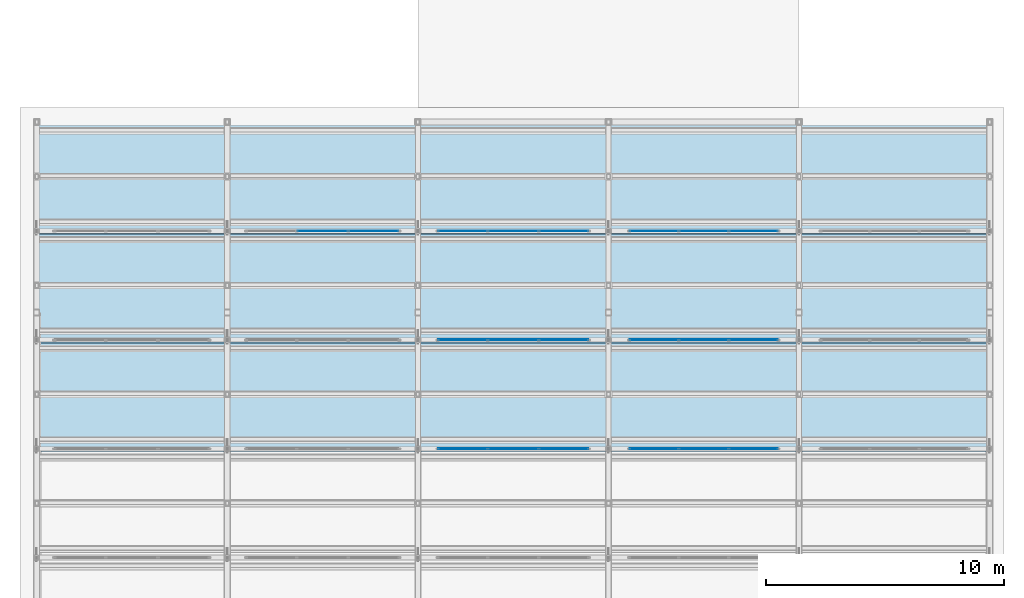
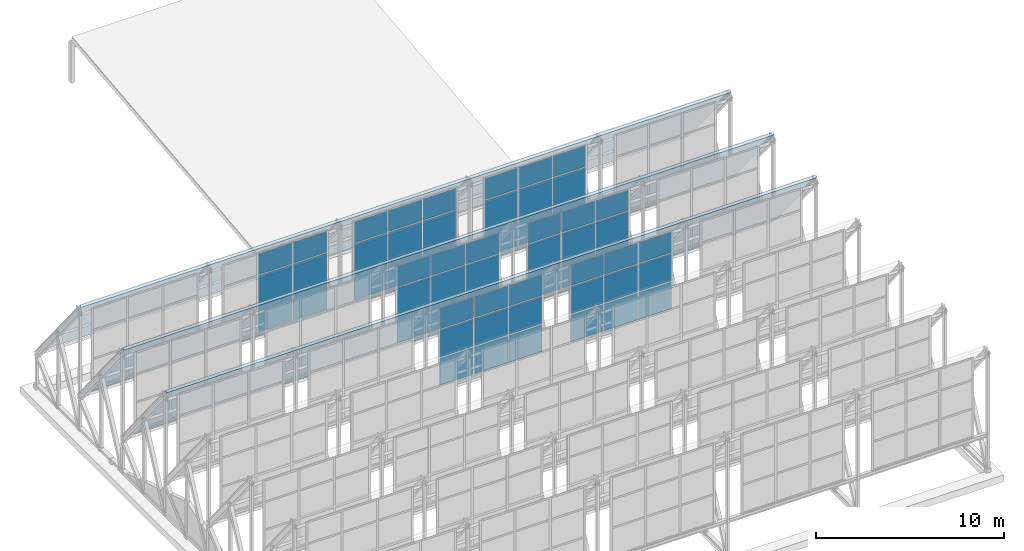
# One storey, part 29 of 34: 60 plates, 3 slabs, 10 elements without a shape of their own.
"""IFC4 building model written with IfcOpenShell, lengths in metres."""

from ifc_helpers import new_model, si_unit, direction, frame, origin, origin_2d, place, context, subcontext, project, spatial, polyline, rectangle, outline, extrude, material, layer, layer_set, type_object, element, aggregate, save


model = new_model("IFC4")

# Units and contexts
model_context = context("Model", 3, precision=1e-05, world=origin(), true_north=direction((0.0, 1.0)))
body_context = subcontext(model_context, "Body", "Model", "MODEL_VIEW")
ifc_project = project(units=[si_unit("LENGTHUNIT", "METRE"), si_unit("AREAUNIT", "SQUARE_METRE"), si_unit("VOLUMEUNIT", "CUBIC_METRE"), si_unit("PLANEANGLEUNIT", "RADIAN"), si_unit("MASSUNIT", "GRAM", prefix="KILO")], contexts=[model_context])

# Site, building, storey
site_placement = place(None, origin())
site = spatial("IfcSite", under=ifc_project, at=site_placement, CompositionType="ELEMENT")
building_placement = place(site_placement, origin())
building = spatial("IfcBuilding", under=site, at=building_placement, Name="Qorikala Patio Media Centre", CompositionType="ELEMENT")
storey_placement = place(building_placement, frame((0.0, 0.0, 32.699951171875)))
storey = spatial("IfcBuildingStorey", under=building, at=storey_placement, Name="RF", CompositionType="ELEMENT", Elevation=32.699951171875)

# Curtain wall, plates
ifc_material_1 = material(Name="Bronze Anodised Aluminium and Low-E Glass", Category="aluminium")
ifc_layer_1 = layer(ifc_material_1, 0.159912109375)
ifc_layer_set_1 = layer_set([ifc_layer_1], Name="Bronze Anodised Aluminium and Low-E Glass")
curtain_wall_type_1 = type_object("IfcCurtainWallType", Name="CW-SAW-640X514", PredefinedType="USERDEFINED", material=ifc_layer_set_1)
curtain_wall_1_placement = place(storey_placement, origin())
curtain_wall_1 = element("IfcCurtainWall", 1, at=curtain_wall_1_placement, inside=storey, type_object=curtain_wall_type_1, Name="RF Sawtooth Glazing 129", ObjectType="SAWTOOTH GLAZING", PredefinedType="USERDEFINED")
ifc_material_2 = material(Name="Acoustic Laminated Low-E Glass", Category="glass")
ifc_layer_2 = layer(ifc_material_2, 0.031982421875)
ifc_layer_set_2 = layer_set([ifc_layer_2], Name="Acoustic Laminated Low-E Glass")
plate_type = type_object("IfcPlateType", Name="CWP-32", PredefinedType="CURTAIN_PANEL", material=ifc_layer_set_2)
plate_1_placement = place(storey_placement, frame((20.881591796875, 21.28564453125, 2.81005859375), z_axis=(0.0, 0.0, 1.0), x_axis=(1.0, 0.0, 0.0)))
plate_1 = element("IfcPlate", 2, at=plate_1_placement, type_object=plate_type, Name="CWS640514 panel 1.1", PredefinedType="CURTAIN_PANEL", context=body_context, shape_type="SweptSolid", body=[
    extrude(rectangle(XDim=2.043212890625, YDim=0.031982421875, at=origin_2d()), origin(), (0.0, 0.0, 1.0), 1.760498046875),
])
plate_2_placement = place(storey_placement, frame((20.881591796875, 21.28564453125, 4.63037109375), z_axis=(0.0, 0.0, 1.0), x_axis=(1.0, 0.0, 0.0)))
plate_2 = element("IfcPlate", 3, at=plate_2_placement, type_object=plate_type, Name="CWS640514 panel 1.2", PredefinedType="CURTAIN_PANEL", context=body_context, shape_type="SweptSolid", body=[
    extrude(rectangle(XDim=2.043212890625, YDim=0.031982421875, at=origin_2d()), origin(), (0.0, 0.0, 1.0), 1.790283203125),
])
plate_3_placement = place(storey_placement, frame((20.881591796875, 21.28564453125, 6.48095703125), z_axis=(0.0, 0.0, 1.0), x_axis=(1.0, 0.0, 0.0)))
plate_3 = element("IfcPlate", 4, at=plate_3_placement, type_object=plate_type, Name="CWS640514 panel 1.3", PredefinedType="CURTAIN_PANEL", context=body_context, shape_type="SweptSolid", body=[
    extrude(rectangle(XDim=2.043212890625, YDim=0.031982421875, at=origin_2d()), origin(), (0.0, 0.0, 1.0), 1.34912109375),
])
plate_4_placement = place(storey_placement, frame((23.0, 21.28564453125, 2.81005859375), z_axis=(0.0, 0.0, 1.0), x_axis=(1.0, 0.0, 0.0)))
plate_4 = element("IfcPlate", 5, at=plate_4_placement, type_object=plate_type, Name="CWS640514 panel 2.1", PredefinedType="CURTAIN_PANEL", context=body_context, shape_type="SweptSolid", body=[
    extrude(rectangle(XDim=2.0732421875, YDim=0.031982421875, at=origin_2d()), origin(), (0.0, 0.0, 1.0), 1.760498046875),
])
plate_5_placement = place(storey_placement, frame((23.0, 21.28564453125, 4.63037109375), z_axis=(0.0, 0.0, 1.0), x_axis=(1.0, 0.0, 0.0)))
plate_5 = element("IfcPlate", 6, at=plate_5_placement, type_object=plate_type, Name="CWS640514 panel 2.2", PredefinedType="CURTAIN_PANEL", context=body_context, shape_type="SweptSolid", body=[
    extrude(rectangle(XDim=2.0732421875, YDim=0.031982421875, at=origin_2d()), origin(), (0.0, 0.0, 1.0), 1.790283203125),
])
plate_6_placement = place(storey_placement, frame((23.0, 21.28564453125, 6.48095703125), z_axis=(0.0, 0.0, 1.0), x_axis=(1.0, 0.0, 0.0)))
plate_6 = element("IfcPlate", 7, at=plate_6_placement, type_object=plate_type, Name="CWS640514 panel 2.3", PredefinedType="CURTAIN_PANEL", context=body_context, shape_type="SweptSolid", body=[
    extrude(rectangle(XDim=2.0732421875, YDim=0.031982421875, at=origin_2d()), origin(), (0.0, 0.0, 1.0), 1.34912109375),
])
plate_7_placement = place(storey_placement, frame((25.118408203125, 21.28564453125, 2.81005859375), z_axis=(0.0, 0.0, 1.0), x_axis=(1.0, 0.0, 0.0)))
plate_7 = element("IfcPlate", 8, at=plate_7_placement, type_object=plate_type, Name="CWS640514 panel 3.1", PredefinedType="CURTAIN_PANEL", context=body_context, shape_type="SweptSolid", body=[
    extrude(rectangle(XDim=2.043212890625, YDim=0.031982421875, at=origin_2d()), origin(), (0.0, 0.0, 1.0), 1.760498046875),
])
plate_8_placement = place(storey_placement, frame((25.118408203125, 21.28564453125, 4.63037109375), z_axis=(0.0, 0.0, 1.0), x_axis=(1.0, 0.0, 0.0)))
plate_8 = element("IfcPlate", 9, at=plate_8_placement, type_object=plate_type, Name="CWS640514 panel 3.2", PredefinedType="CURTAIN_PANEL", context=body_context, shape_type="SweptSolid", body=[
    extrude(rectangle(XDim=2.043212890625, YDim=0.031982421875, at=origin_2d()), origin(), (0.0, 0.0, 1.0), 1.790283203125),
])
plate_9_placement = place(storey_placement, frame((25.118408203125, 21.28564453125, 6.48095703125), z_axis=(0.0, 0.0, 1.0), x_axis=(1.0, 0.0, 0.0)))
plate_9 = element("IfcPlate", 10, at=plate_9_placement, type_object=plate_type, Name="CWS640514 panel 3.3", PredefinedType="CURTAIN_PANEL", context=body_context, shape_type="SweptSolid", body=[
    extrude(rectangle(XDim=2.043212890625, YDim=0.031982421875, at=origin_2d()), origin(), (0.0, 0.0, 1.0), 1.34912109375),
])
aggregate(curtain_wall_1, [plate_1, plate_2, plate_3, plate_4, plate_5, plate_6, plate_7, plate_8, plate_9])

ifc_layer_3 = layer(ifc_material_1, 0.159912109375)
ifc_layer_set_3 = layer_set([ifc_layer_3], Name="Bronze Anodised Aluminium and Low-E Glass")
curtain_wall_type_2 = type_object("IfcCurtainWallType", Name="CW-SAW-632X514", PredefinedType="USERDEFINED", material=ifc_layer_set_3)
curtain_wall_2_placement = place(storey_placement, origin())
curtain_wall_2 = element("IfcCurtainWall", 11, at=curtain_wall_2_placement, inside=storey, type_object=curtain_wall_type_2, Name="RF Sawtooth Glazing 130", ObjectType="SAWTOOTH GLAZING", PredefinedType="USERDEFINED")
plate_10_placement = place(storey_placement, frame((28.908447265625, 21.28564453125, 2.81005859375), z_axis=(0.0, 0.0, 1.0), x_axis=(1.0, 0.0, 0.0)))
plate_10 = element("IfcPlate", 12, at=plate_10_placement, type_object=plate_type, Name="CWS632514 panel 1.1", PredefinedType="CURTAIN_PANEL", context=body_context, shape_type="SweptSolid", body=[
    extrude(rectangle(XDim=2.0166015625, YDim=0.031982421875, at=origin_2d()), origin(), (0.0, 0.0, 1.0), 1.760498046875),
])
plate_11_placement = place(storey_placement, frame((28.908447265625, 21.28564453125, 4.63037109375), z_axis=(0.0, 0.0, 1.0), x_axis=(1.0, 0.0, 0.0)))
plate_11 = element("IfcPlate", 13, at=plate_11_placement, type_object=plate_type, Name="CWS632514 panel 1.2", PredefinedType="CURTAIN_PANEL", context=body_context, shape_type="SweptSolid", body=[
    extrude(rectangle(XDim=2.0166015625, YDim=0.031982421875, at=origin_2d()), origin(), (0.0, 0.0, 1.0), 1.790283203125),
])
plate_12_placement = place(storey_placement, frame((28.908447265625, 21.28564453125, 6.48095703125), z_axis=(0.0, 0.0, 1.0), x_axis=(1.0, 0.0, 0.0)))
plate_12 = element("IfcPlate", 14, at=plate_12_placement, type_object=plate_type, Name="CWS632514 panel 1.3", PredefinedType="CURTAIN_PANEL", context=body_context, shape_type="SweptSolid", body=[
    extrude(rectangle(XDim=2.0166015625, YDim=0.031982421875, at=origin_2d()), origin(), (0.0, 0.0, 1.0), 1.34912109375),
])
plate_13_placement = place(storey_placement, frame((31.0, 21.28564453125, 2.81005859375), z_axis=(0.0, 0.0, 1.0), x_axis=(1.0, 0.0, 0.0)))
plate_13 = element("IfcPlate", 15, at=plate_13_placement, type_object=plate_type, Name="CWS632514 panel 2.1", PredefinedType="CURTAIN_PANEL", context=body_context, shape_type="SweptSolid", body=[
    extrude(rectangle(XDim=2.046630859375, YDim=0.031982421875, at=origin_2d()), origin(), (0.0, 0.0, 1.0), 1.760498046875),
])
plate_14_placement = place(storey_placement, frame((31.0, 21.28564453125, 4.63037109375), z_axis=(0.0, 0.0, 1.0), x_axis=(1.0, 0.0, 0.0)))
plate_14 = element("IfcPlate", 16, at=plate_14_placement, type_object=plate_type, Name="CWS632514 panel 2.2", PredefinedType="CURTAIN_PANEL", context=body_context, shape_type="SweptSolid", body=[
    extrude(rectangle(XDim=2.046630859375, YDim=0.031982421875, at=origin_2d()), origin(), (0.0, 0.0, 1.0), 1.790283203125),
])
plate_15_placement = place(storey_placement, frame((31.0, 21.28564453125, 6.48095703125), z_axis=(0.0, 0.0, 1.0), x_axis=(1.0, 0.0, 0.0)))
plate_15 = element("IfcPlate", 17, at=plate_15_placement, type_object=plate_type, Name="CWS632514 panel 2.3", PredefinedType="CURTAIN_PANEL", context=body_context, shape_type="SweptSolid", body=[
    extrude(rectangle(XDim=2.046630859375, YDim=0.031982421875, at=origin_2d()), origin(), (0.0, 0.0, 1.0), 1.34912109375),
])
plate_16_placement = place(storey_placement, frame((33.091552734375, 21.28564453125, 2.81005859375), z_axis=(0.0, 0.0, 1.0), x_axis=(1.0, 0.0, 0.0)))
plate_16 = element("IfcPlate", 18, at=plate_16_placement, type_object=plate_type, Name="CWS632514 panel 3.1", PredefinedType="CURTAIN_PANEL", context=body_context, shape_type="SweptSolid", body=[
    extrude(rectangle(XDim=2.0166015625, YDim=0.031982421875, at=origin_2d()), origin(), (0.0, 0.0, 1.0), 1.760498046875),
])
plate_17_placement = place(storey_placement, frame((33.091552734375, 21.28564453125, 4.63037109375), z_axis=(0.0, 0.0, 1.0), x_axis=(1.0, 0.0, 0.0)))
plate_17 = element("IfcPlate", 19, at=plate_17_placement, type_object=plate_type, Name="CWS632514 panel 3.2", PredefinedType="CURTAIN_PANEL", context=body_context, shape_type="SweptSolid", body=[
    extrude(rectangle(XDim=2.0166015625, YDim=0.031982421875, at=origin_2d()), origin(), (0.0, 0.0, 1.0), 1.790283203125),
])
plate_18_placement = place(storey_placement, frame((33.091552734375, 21.28564453125, 6.48095703125), z_axis=(0.0, 0.0, 1.0), x_axis=(1.0, 0.0, 0.0)))
plate_18 = element("IfcPlate", 20, at=plate_18_placement, type_object=plate_type, Name="CWS632514 panel 3.3", PredefinedType="CURTAIN_PANEL", context=body_context, shape_type="SweptSolid", body=[
    extrude(rectangle(XDim=2.0166015625, YDim=0.031982421875, at=origin_2d()), origin(), (0.0, 0.0, 1.0), 1.34912109375),
])
aggregate(curtain_wall_2, [plate_10, plate_11, plate_12, plate_13, plate_14, plate_15, plate_16, plate_17, plate_18])

ifc_layer_4 = layer(ifc_material_1, 0.159912109375)
ifc_layer_set_4 = layer_set([ifc_layer_4], Name="Bronze Anodised Aluminium and Low-E Glass")
curtain_wall_type_3 = type_object("IfcCurtainWallType", Name="CW-SAW-640X508", PredefinedType="USERDEFINED", material=ifc_layer_set_4)
curtain_wall_3_placement = place(storey_placement, origin())
curtain_wall_3 = element("IfcCurtainWall", 21, at=curtain_wall_3_placement, inside=storey, type_object=curtain_wall_type_3, Name="RF Sawtooth Glazing 134", ObjectType="SAWTOOTH GLAZING", PredefinedType="USERDEFINED")
plate_19_placement = place(storey_placement, frame((20.881591796875, 25.857177734375, 2.81005859375), z_axis=(0.0, 0.0, 1.0), x_axis=(1.0, 0.0, 0.0)))
plate_19 = element("IfcPlate", 22, at=plate_19_placement, type_object=plate_type, Name="CWS640508 panel 1.1", PredefinedType="CURTAIN_PANEL", context=body_context, shape_type="SweptSolid", body=[
    extrude(rectangle(XDim=2.043212890625, YDim=0.031982421875, at=origin_2d()), origin(), (0.0, 0.0, 1.0), 1.73876953125),
])
plate_20_placement = place(storey_placement, frame((20.881591796875, 25.857177734375, 4.60888671875), z_axis=(0.0, 0.0, 1.0), x_axis=(1.0, 0.0, 0.0)))
plate_20 = element("IfcPlate", 23, at=plate_20_placement, type_object=plate_type, Name="CWS640508 panel 1.2", PredefinedType="CURTAIN_PANEL", context=body_context, shape_type="SweptSolid", body=[
    extrude(rectangle(XDim=2.043212890625, YDim=0.031982421875, at=origin_2d()), origin(), (0.0, 0.0, 1.0), 1.768798828125),
])
plate_21_placement = place(storey_placement, frame((20.881591796875, 25.857177734375, 6.4375), z_axis=(0.0, 0.0, 1.0), x_axis=(1.0, 0.0, 0.0)))
plate_21 = element("IfcPlate", 24, at=plate_21_placement, type_object=plate_type, Name="CWS640508 panel 1.3", PredefinedType="CURTAIN_PANEL", context=body_context, shape_type="SweptSolid", body=[
    extrude(rectangle(XDim=2.043212890625, YDim=0.031982421875, at=origin_2d()), origin(), (0.0, 0.0, 1.0), 1.33251953125),
])
plate_22_placement = place(storey_placement, frame((23.0, 25.857177734375, 2.81005859375), z_axis=(0.0, 0.0, 1.0), x_axis=(1.0, 0.0, 0.0)))
plate_22 = element("IfcPlate", 25, at=plate_22_placement, type_object=plate_type, Name="CWS640508 panel 2.1", PredefinedType="CURTAIN_PANEL", context=body_context, shape_type="SweptSolid", body=[
    extrude(rectangle(XDim=2.0732421875, YDim=0.031982421875, at=origin_2d()), origin(), (0.0, 0.0, 1.0), 1.73876953125),
])
plate_23_placement = place(storey_placement, frame((23.0, 25.857177734375, 4.60888671875), z_axis=(0.0, 0.0, 1.0), x_axis=(1.0, 0.0, 0.0)))
plate_23 = element("IfcPlate", 26, at=plate_23_placement, type_object=plate_type, Name="CWS640508 panel 2.2", PredefinedType="CURTAIN_PANEL", context=body_context, shape_type="SweptSolid", body=[
    extrude(rectangle(XDim=2.0732421875, YDim=0.031982421875, at=origin_2d()), origin(), (0.0, 0.0, 1.0), 1.768798828125),
])
plate_24_placement = place(storey_placement, frame((23.0, 25.857177734375, 6.4375), z_axis=(0.0, 0.0, 1.0), x_axis=(1.0, 0.0, 0.0)))
plate_24 = element("IfcPlate", 27, at=plate_24_placement, type_object=plate_type, Name="CWS640508 panel 2.3", PredefinedType="CURTAIN_PANEL", context=body_context, shape_type="SweptSolid", body=[
    extrude(rectangle(XDim=2.0732421875, YDim=0.031982421875, at=origin_2d()), origin(), (0.0, 0.0, 1.0), 1.33251953125),
])
plate_25_placement = place(storey_placement, frame((25.118408203125, 25.857177734375, 2.81005859375), z_axis=(0.0, 0.0, 1.0), x_axis=(1.0, 0.0, 0.0)))
plate_25 = element("IfcPlate", 28, at=plate_25_placement, type_object=plate_type, Name="CWS640508 panel 3.1", PredefinedType="CURTAIN_PANEL", context=body_context, shape_type="SweptSolid", body=[
    extrude(rectangle(XDim=2.043212890625, YDim=0.031982421875, at=origin_2d()), origin(), (0.0, 0.0, 1.0), 1.73876953125),
])
plate_26_placement = place(storey_placement, frame((25.118408203125, 25.857177734375, 4.60888671875), z_axis=(0.0, 0.0, 1.0), x_axis=(1.0, 0.0, 0.0)))
plate_26 = element("IfcPlate", 29, at=plate_26_placement, type_object=plate_type, Name="CWS640508 panel 3.2", PredefinedType="CURTAIN_PANEL", context=body_context, shape_type="SweptSolid", body=[
    extrude(rectangle(XDim=2.043212890625, YDim=0.031982421875, at=origin_2d()), origin(), (0.0, 0.0, 1.0), 1.768798828125),
])
plate_27_placement = place(storey_placement, frame((25.118408203125, 25.857177734375, 6.4375), z_axis=(0.0, 0.0, 1.0), x_axis=(1.0, 0.0, 0.0)))
plate_27 = element("IfcPlate", 30, at=plate_27_placement, type_object=plate_type, Name="CWS640508 panel 3.3", PredefinedType="CURTAIN_PANEL", context=body_context, shape_type="SweptSolid", body=[
    extrude(rectangle(XDim=2.043212890625, YDim=0.031982421875, at=origin_2d()), origin(), (0.0, 0.0, 1.0), 1.33251953125),
])
aggregate(curtain_wall_3, [plate_19, plate_20, plate_21, plate_22, plate_23, plate_24, plate_25, plate_26, plate_27])

ifc_layer_5 = layer(ifc_material_1, 0.159912109375)
ifc_layer_set_5 = layer_set([ifc_layer_5], Name="Bronze Anodised Aluminium and Low-E Glass")
curtain_wall_type_4 = type_object("IfcCurtainWallType", Name="CW-SAW-632X508", PredefinedType="USERDEFINED", material=ifc_layer_set_5)
curtain_wall_4_placement = place(storey_placement, origin())
curtain_wall_4 = element("IfcCurtainWall", 31, at=curtain_wall_4_placement, inside=storey, type_object=curtain_wall_type_4, Name="RF Sawtooth Glazing 135", ObjectType="SAWTOOTH GLAZING", PredefinedType="USERDEFINED")
plate_28_placement = place(storey_placement, frame((28.908447265625, 25.857177734375, 2.81005859375), z_axis=(0.0, 0.0, 1.0), x_axis=(1.0, 0.0, 0.0)))
plate_28 = element("IfcPlate", 32, at=plate_28_placement, type_object=plate_type, Name="CWS632508 panel 1.1", PredefinedType="CURTAIN_PANEL", context=body_context, shape_type="SweptSolid", body=[
    extrude(rectangle(XDim=2.0166015625, YDim=0.031982421875, at=origin_2d()), origin(), (0.0, 0.0, 1.0), 1.73876953125),
])
plate_29_placement = place(storey_placement, frame((28.908447265625, 25.857177734375, 4.60888671875), z_axis=(0.0, 0.0, 1.0), x_axis=(1.0, 0.0, 0.0)))
plate_29 = element("IfcPlate", 33, at=plate_29_placement, type_object=plate_type, Name="CWS632508 panel 1.2", PredefinedType="CURTAIN_PANEL", context=body_context, shape_type="SweptSolid", body=[
    extrude(rectangle(XDim=2.0166015625, YDim=0.031982421875, at=origin_2d()), origin(), (0.0, 0.0, 1.0), 1.768798828125),
])
plate_30_placement = place(storey_placement, frame((28.908447265625, 25.857177734375, 6.4375), z_axis=(0.0, 0.0, 1.0), x_axis=(1.0, 0.0, 0.0)))
plate_30 = element("IfcPlate", 34, at=plate_30_placement, type_object=plate_type, Name="CWS632508 panel 1.3", PredefinedType="CURTAIN_PANEL", context=body_context, shape_type="SweptSolid", body=[
    extrude(rectangle(XDim=2.0166015625, YDim=0.031982421875, at=origin_2d()), origin(), (0.0, 0.0, 1.0), 1.33251953125),
])
plate_31_placement = place(storey_placement, frame((31.0, 25.857177734375, 2.81005859375), z_axis=(0.0, 0.0, 1.0), x_axis=(1.0, 0.0, 0.0)))
plate_31 = element("IfcPlate", 35, at=plate_31_placement, type_object=plate_type, Name="CWS632508 panel 2.1", PredefinedType="CURTAIN_PANEL", context=body_context, shape_type="SweptSolid", body=[
    extrude(rectangle(XDim=2.046630859375, YDim=0.031982421875, at=origin_2d()), origin(), (0.0, 0.0, 1.0), 1.73876953125),
])
plate_32_placement = place(storey_placement, frame((31.0, 25.857177734375, 4.60888671875), z_axis=(0.0, 0.0, 1.0), x_axis=(1.0, 0.0, 0.0)))
plate_32 = element("IfcPlate", 36, at=plate_32_placement, type_object=plate_type, Name="CWS632508 panel 2.2", PredefinedType="CURTAIN_PANEL", context=body_context, shape_type="SweptSolid", body=[
    extrude(rectangle(XDim=2.046630859375, YDim=0.031982421875, at=origin_2d()), origin(), (0.0, 0.0, 1.0), 1.768798828125),
])
plate_33_placement = place(storey_placement, frame((31.0, 25.857177734375, 6.4375), z_axis=(0.0, 0.0, 1.0), x_axis=(1.0, 0.0, 0.0)))
plate_33 = element("IfcPlate", 37, at=plate_33_placement, type_object=plate_type, Name="CWS632508 panel 2.3", PredefinedType="CURTAIN_PANEL", context=body_context, shape_type="SweptSolid", body=[
    extrude(rectangle(XDim=2.046630859375, YDim=0.031982421875, at=origin_2d()), origin(), (0.0, 0.0, 1.0), 1.33251953125),
])
plate_34_placement = place(storey_placement, frame((33.091552734375, 25.857177734375, 2.81005859375), z_axis=(0.0, 0.0, 1.0), x_axis=(1.0, 0.0, 0.0)))
plate_34 = element("IfcPlate", 38, at=plate_34_placement, type_object=plate_type, Name="CWS632508 panel 3.1", PredefinedType="CURTAIN_PANEL", context=body_context, shape_type="SweptSolid", body=[
    extrude(rectangle(XDim=2.0166015625, YDim=0.031982421875, at=origin_2d()), origin(), (0.0, 0.0, 1.0), 1.73876953125),
])
plate_35_placement = place(storey_placement, frame((33.091552734375, 25.857177734375, 4.60888671875), z_axis=(0.0, 0.0, 1.0), x_axis=(1.0, 0.0, 0.0)))
plate_35 = element("IfcPlate", 39, at=plate_35_placement, type_object=plate_type, Name="CWS632508 panel 3.2", PredefinedType="CURTAIN_PANEL", context=body_context, shape_type="SweptSolid", body=[
    extrude(rectangle(XDim=2.0166015625, YDim=0.031982421875, at=origin_2d()), origin(), (0.0, 0.0, 1.0), 1.768798828125),
])
plate_36_placement = place(storey_placement, frame((33.091552734375, 25.857177734375, 6.4375), z_axis=(0.0, 0.0, 1.0), x_axis=(1.0, 0.0, 0.0)))
plate_36 = element("IfcPlate", 40, at=plate_36_placement, type_object=plate_type, Name="CWS632508 panel 3.3", PredefinedType="CURTAIN_PANEL", context=body_context, shape_type="SweptSolid", body=[
    extrude(rectangle(XDim=2.0166015625, YDim=0.031982421875, at=origin_2d()), origin(), (0.0, 0.0, 1.0), 1.33251953125),
])
aggregate(curtain_wall_4, [plate_28, plate_29, plate_30, plate_31, plate_32, plate_33, plate_34, plate_35, plate_36])

ifc_layer_6 = layer(ifc_material_1, 0.159912109375)
ifc_layer_set_6 = layer_set([ifc_layer_6], Name="Bronze Anodised Aluminium and Low-E Glass")
curtain_wall_type_5 = type_object("IfcCurtainWallType", Name="CW-SAW-648X520", PredefinedType="USERDEFINED", material=ifc_layer_set_6)
curtain_wall_5_placement = place(storey_placement, origin())
curtain_wall_5 = element("IfcCurtainWall", 41, at=curtain_wall_5_placement, inside=storey, type_object=curtain_wall_type_5, Name="RF Sawtooth Glazing 138", ObjectType="SAWTOOTH GLAZING", PredefinedType="USERDEFINED")
plate_37_placement = place(storey_placement, frame((15.0, 30.4287109375, 2.81005859375), z_axis=(0.0, 0.0, 1.0), x_axis=(1.0, 0.0, 0.0)))
plate_37 = element("IfcPlate", 42, at=plate_37_placement, type_object=plate_type, Name="CWS648520 panel 2.1", PredefinedType="CURTAIN_PANEL", context=body_context, shape_type="SweptSolid", body=[
    extrude(rectangle(XDim=2.10009765625, YDim=0.031982421875, at=origin_2d()), origin(), (0.0, 0.0, 1.0), 1.781982421875),
])
plate_38_placement = place(storey_placement, frame((15.0, 30.4287109375, 4.652099609375), z_axis=(0.0, 0.0, 1.0), x_axis=(1.0, 0.0, 0.0)))
plate_38 = element("IfcPlate", 43, at=plate_38_placement, type_object=plate_type, Name="CWS648520 panel 2.2", PredefinedType="CURTAIN_PANEL", context=body_context, shape_type="SweptSolid", body=[
    extrude(rectangle(XDim=2.10009765625, YDim=0.031982421875, at=origin_2d()), origin(), (0.0, 0.0, 1.0), 1.81201171875),
])
plate_39_placement = place(storey_placement, frame((15.0, 30.4287109375, 6.52392578125), z_axis=(0.0, 0.0, 1.0), x_axis=(1.0, 0.0, 0.0)))
plate_39 = element("IfcPlate", 44, at=plate_39_placement, type_object=plate_type, Name="CWS648520 panel 2.3", PredefinedType="CURTAIN_PANEL", context=body_context, shape_type="SweptSolid", body=[
    extrude(rectangle(XDim=2.10009765625, YDim=0.031982421875, at=origin_2d()), origin(), (0.0, 0.0, 1.0), 1.365966796875),
])
plate_40_placement = place(storey_placement, frame((17.14501953125, 30.4287109375, 2.81005859375), z_axis=(0.0, 0.0, 1.0), x_axis=(1.0, 0.0, 0.0)))
plate_40 = element("IfcPlate", 45, at=plate_40_placement, type_object=plate_type, Name="CWS648520 panel 3.1", PredefinedType="CURTAIN_PANEL", context=body_context, shape_type="SweptSolid", body=[
    extrude(rectangle(XDim=2.070068359375, YDim=0.031982421875, at=origin_2d()), origin(), (0.0, 0.0, 1.0), 1.781982421875),
])
plate_41_placement = place(storey_placement, frame((17.14501953125, 30.4287109375, 4.652099609375), z_axis=(0.0, 0.0, 1.0), x_axis=(1.0, 0.0, 0.0)))
plate_41 = element("IfcPlate", 46, at=plate_41_placement, type_object=plate_type, Name="CWS648520 panel 3.2", PredefinedType="CURTAIN_PANEL", context=body_context, shape_type="SweptSolid", body=[
    extrude(rectangle(XDim=2.070068359375, YDim=0.031982421875, at=origin_2d()), origin(), (0.0, 0.0, 1.0), 1.81201171875),
])
plate_42_placement = place(storey_placement, frame((17.14501953125, 30.4287109375, 6.52392578125), z_axis=(0.0, 0.0, 1.0), x_axis=(1.0, 0.0, 0.0)))
plate_42 = element("IfcPlate", 47, at=plate_42_placement, type_object=plate_type, Name="CWS648520 panel 3.3", PredefinedType="CURTAIN_PANEL", context=body_context, shape_type="SweptSolid", body=[
    extrude(rectangle(XDim=2.070068359375, YDim=0.031982421875, at=origin_2d()), origin(), (0.0, 0.0, 1.0), 1.365966796875),
])
aggregate(curtain_wall_5, [plate_37, plate_38, plate_39, plate_40, plate_41, plate_42])

ifc_layer_7 = layer(ifc_material_1, 0.159912109375)
ifc_layer_set_7 = layer_set([ifc_layer_7], Name="Bronze Anodised Aluminium and Low-E Glass")
curtain_wall_type_6 = type_object("IfcCurtainWallType", Name="CW-SAW-640X520", PredefinedType="USERDEFINED", material=ifc_layer_set_7)
curtain_wall_6_placement = place(storey_placement, origin())
curtain_wall_6 = element("IfcCurtainWall", 48, at=curtain_wall_6_placement, inside=storey, type_object=curtain_wall_type_6, Name="RF Sawtooth Glazing 139", ObjectType="SAWTOOTH GLAZING", PredefinedType="USERDEFINED")
plate_43_placement = place(storey_placement, frame((20.881591796875, 30.4287109375, 2.81005859375), z_axis=(0.0, 0.0, 1.0), x_axis=(1.0, 0.0, 0.0)))
plate_43 = element("IfcPlate", 49, at=plate_43_placement, type_object=plate_type, Name="CWS640520 panel 1.1", PredefinedType="CURTAIN_PANEL", context=body_context, shape_type="SweptSolid", body=[
    extrude(rectangle(XDim=2.043212890625, YDim=0.031982421875, at=origin_2d()), origin(), (0.0, 0.0, 1.0), 1.781982421875),
])
plate_44_placement = place(storey_placement, frame((20.881591796875, 30.4287109375, 4.652099609375), z_axis=(0.0, 0.0, 1.0), x_axis=(1.0, 0.0, 0.0)))
plate_44 = element("IfcPlate", 50, at=plate_44_placement, type_object=plate_type, Name="CWS640520 panel 1.2", PredefinedType="CURTAIN_PANEL", context=body_context, shape_type="SweptSolid", body=[
    extrude(rectangle(XDim=2.043212890625, YDim=0.031982421875, at=origin_2d()), origin(), (0.0, 0.0, 1.0), 1.81201171875),
])
plate_45_placement = place(storey_placement, frame((20.881591796875, 30.4287109375, 6.52392578125), z_axis=(0.0, 0.0, 1.0), x_axis=(1.0, 0.0, 0.0)))
plate_45 = element("IfcPlate", 51, at=plate_45_placement, type_object=plate_type, Name="CWS640520 panel 1.3", PredefinedType="CURTAIN_PANEL", context=body_context, shape_type="SweptSolid", body=[
    extrude(rectangle(XDim=2.043212890625, YDim=0.031982421875, at=origin_2d()), origin(), (0.0, 0.0, 1.0), 1.365966796875),
])
plate_46_placement = place(storey_placement, frame((23.0, 30.4287109375, 2.81005859375), z_axis=(0.0, 0.0, 1.0), x_axis=(1.0, 0.0, 0.0)))
plate_46 = element("IfcPlate", 52, at=plate_46_placement, type_object=plate_type, Name="CWS640520 panel 2.1", PredefinedType="CURTAIN_PANEL", context=body_context, shape_type="SweptSolid", body=[
    extrude(rectangle(XDim=2.0732421875, YDim=0.031982421875, at=origin_2d()), origin(), (0.0, 0.0, 1.0), 1.781982421875),
])
plate_47_placement = place(storey_placement, frame((23.0, 30.4287109375, 4.652099609375), z_axis=(0.0, 0.0, 1.0), x_axis=(1.0, 0.0, 0.0)))
plate_47 = element("IfcPlate", 53, at=plate_47_placement, type_object=plate_type, Name="CWS640520 panel 2.2", PredefinedType="CURTAIN_PANEL", context=body_context, shape_type="SweptSolid", body=[
    extrude(rectangle(XDim=2.0732421875, YDim=0.031982421875, at=origin_2d()), origin(), (0.0, 0.0, 1.0), 1.81201171875),
])
plate_48_placement = place(storey_placement, frame((23.0, 30.4287109375, 6.52392578125), z_axis=(0.0, 0.0, 1.0), x_axis=(1.0, 0.0, 0.0)))
plate_48 = element("IfcPlate", 54, at=plate_48_placement, type_object=plate_type, Name="CWS640520 panel 2.3", PredefinedType="CURTAIN_PANEL", context=body_context, shape_type="SweptSolid", body=[
    extrude(rectangle(XDim=2.0732421875, YDim=0.031982421875, at=origin_2d()), origin(), (0.0, 0.0, 1.0), 1.365966796875),
])
plate_49_placement = place(storey_placement, frame((25.118408203125, 30.4287109375, 2.81005859375), z_axis=(0.0, 0.0, 1.0), x_axis=(1.0, 0.0, 0.0)))
plate_49 = element("IfcPlate", 55, at=plate_49_placement, type_object=plate_type, Name="CWS640520 panel 3.1", PredefinedType="CURTAIN_PANEL", context=body_context, shape_type="SweptSolid", body=[
    extrude(rectangle(XDim=2.043212890625, YDim=0.031982421875, at=origin_2d()), origin(), (0.0, 0.0, 1.0), 1.781982421875),
])
plate_50_placement = place(storey_placement, frame((25.118408203125, 30.4287109375, 4.652099609375), z_axis=(0.0, 0.0, 1.0), x_axis=(1.0, 0.0, 0.0)))
plate_50 = element("IfcPlate", 56, at=plate_50_placement, type_object=plate_type, Name="CWS640520 panel 3.2", PredefinedType="CURTAIN_PANEL", context=body_context, shape_type="SweptSolid", body=[
    extrude(rectangle(XDim=2.043212890625, YDim=0.031982421875, at=origin_2d()), origin(), (0.0, 0.0, 1.0), 1.81201171875),
])
plate_51_placement = place(storey_placement, frame((25.118408203125, 30.4287109375, 6.52392578125), z_axis=(0.0, 0.0, 1.0), x_axis=(1.0, 0.0, 0.0)))
plate_51 = element("IfcPlate", 57, at=plate_51_placement, type_object=plate_type, Name="CWS640520 panel 3.3", PredefinedType="CURTAIN_PANEL", context=body_context, shape_type="SweptSolid", body=[
    extrude(rectangle(XDim=2.043212890625, YDim=0.031982421875, at=origin_2d()), origin(), (0.0, 0.0, 1.0), 1.365966796875),
])
aggregate(curtain_wall_6, [plate_43, plate_44, plate_45, plate_46, plate_47, plate_48, plate_49, plate_50, plate_51])

ifc_layer_8 = layer(ifc_material_1, 0.159912109375)
ifc_layer_set_8 = layer_set([ifc_layer_8], Name="Bronze Anodised Aluminium and Low-E Glass")
curtain_wall_type_7 = type_object("IfcCurtainWallType", Name="CW-SAW-632X520", PredefinedType="USERDEFINED", material=ifc_layer_set_8)
curtain_wall_7_placement = place(storey_placement, origin())
curtain_wall_7 = element("IfcCurtainWall", 58, at=curtain_wall_7_placement, inside=storey, type_object=curtain_wall_type_7, Name="RF Sawtooth Glazing 140", ObjectType="SAWTOOTH GLAZING", PredefinedType="USERDEFINED")
plate_52_placement = place(storey_placement, frame((28.908447265625, 30.4287109375, 2.81005859375), z_axis=(0.0, 0.0, 1.0), x_axis=(1.0, 0.0, 0.0)))
plate_52 = element("IfcPlate", 59, at=plate_52_placement, type_object=plate_type, Name="CWS632520 panel 1.1", PredefinedType="CURTAIN_PANEL", context=body_context, shape_type="SweptSolid", body=[
    extrude(rectangle(XDim=2.0166015625, YDim=0.031982421875, at=origin_2d()), origin(), (0.0, 0.0, 1.0), 1.781982421875),
])
plate_53_placement = place(storey_placement, frame((28.908447265625, 30.4287109375, 4.652099609375), z_axis=(0.0, 0.0, 1.0), x_axis=(1.0, 0.0, 0.0)))
plate_53 = element("IfcPlate", 60, at=plate_53_placement, type_object=plate_type, Name="CWS632520 panel 1.2", PredefinedType="CURTAIN_PANEL", context=body_context, shape_type="SweptSolid", body=[
    extrude(rectangle(XDim=2.0166015625, YDim=0.031982421875, at=origin_2d()), origin(), (0.0, 0.0, 1.0), 1.81201171875),
])
plate_54_placement = place(storey_placement, frame((28.908447265625, 30.4287109375, 6.52392578125), z_axis=(0.0, 0.0, 1.0), x_axis=(1.0, 0.0, 0.0)))
plate_54 = element("IfcPlate", 61, at=plate_54_placement, type_object=plate_type, Name="CWS632520 panel 1.3", PredefinedType="CURTAIN_PANEL", context=body_context, shape_type="SweptSolid", body=[
    extrude(rectangle(XDim=2.0166015625, YDim=0.031982421875, at=origin_2d()), origin(), (0.0, 0.0, 1.0), 1.365966796875),
])
plate_55_placement = place(storey_placement, frame((31.0, 30.4287109375, 2.81005859375), z_axis=(0.0, 0.0, 1.0), x_axis=(1.0, 0.0, 0.0)))
plate_55 = element("IfcPlate", 62, at=plate_55_placement, type_object=plate_type, Name="CWS632520 panel 2.1", PredefinedType="CURTAIN_PANEL", context=body_context, shape_type="SweptSolid", body=[
    extrude(rectangle(XDim=2.046630859375, YDim=0.031982421875, at=origin_2d()), origin(), (0.0, 0.0, 1.0), 1.781982421875),
])
plate_56_placement = place(storey_placement, frame((31.0, 30.4287109375, 4.652099609375), z_axis=(0.0, 0.0, 1.0), x_axis=(1.0, 0.0, 0.0)))
plate_56 = element("IfcPlate", 63, at=plate_56_placement, type_object=plate_type, Name="CWS632520 panel 2.2", PredefinedType="CURTAIN_PANEL", context=body_context, shape_type="SweptSolid", body=[
    extrude(rectangle(XDim=2.046630859375, YDim=0.031982421875, at=origin_2d()), origin(), (0.0, 0.0, 1.0), 1.81201171875),
])
plate_57_placement = place(storey_placement, frame((31.0, 30.4287109375, 6.52392578125), z_axis=(0.0, 0.0, 1.0), x_axis=(1.0, 0.0, 0.0)))
plate_57 = element("IfcPlate", 64, at=plate_57_placement, type_object=plate_type, Name="CWS632520 panel 2.3", PredefinedType="CURTAIN_PANEL", context=body_context, shape_type="SweptSolid", body=[
    extrude(rectangle(XDim=2.046630859375, YDim=0.031982421875, at=origin_2d()), origin(), (0.0, 0.0, 1.0), 1.365966796875),
])
plate_58_placement = place(storey_placement, frame((33.091552734375, 30.4287109375, 2.81005859375), z_axis=(0.0, 0.0, 1.0), x_axis=(1.0, 0.0, 0.0)))
plate_58 = element("IfcPlate", 65, at=plate_58_placement, type_object=plate_type, Name="CWS632520 panel 3.1", PredefinedType="CURTAIN_PANEL", context=body_context, shape_type="SweptSolid", body=[
    extrude(rectangle(XDim=2.0166015625, YDim=0.031982421875, at=origin_2d()), origin(), (0.0, 0.0, 1.0), 1.781982421875),
])
plate_59_placement = place(storey_placement, frame((33.091552734375, 30.4287109375, 4.652099609375), z_axis=(0.0, 0.0, 1.0), x_axis=(1.0, 0.0, 0.0)))
plate_59 = element("IfcPlate", 66, at=plate_59_placement, type_object=plate_type, Name="CWS632520 panel 3.2", PredefinedType="CURTAIN_PANEL", context=body_context, shape_type="SweptSolid", body=[
    extrude(rectangle(XDim=2.0166015625, YDim=0.031982421875, at=origin_2d()), origin(), (0.0, 0.0, 1.0), 1.81201171875),
])
plate_60_placement = place(storey_placement, frame((33.091552734375, 30.4287109375, 6.52392578125), z_axis=(0.0, 0.0, 1.0), x_axis=(1.0, 0.0, 0.0)))
plate_60 = element("IfcPlate", 67, at=plate_60_placement, type_object=plate_type, Name="CWS632520 panel 3.3", PredefinedType="CURTAIN_PANEL", context=body_context, shape_type="SweptSolid", body=[
    extrude(rectangle(XDim=2.0166015625, YDim=0.031982421875, at=origin_2d()), origin(), (0.0, 0.0, 1.0), 1.365966796875),
])
aggregate(curtain_wall_7, [plate_52, plate_53, plate_54, plate_55, plate_56, plate_57, plate_58, plate_59, plate_60])

# Roof, slab
ifc_material_3 = material(Name="Steel S355", Category="steel")
roof_type = type_object("IfcRoofType", Name="ROOF-SAWTOOTH", PredefinedType="SHED_ROOF", material=ifc_material_3)
roof_1_placement = place(storey_placement, origin())
roof_1 = element("IfcRoof", 68, at=roof_1_placement, inside=storey, type_object=roof_type, Name="SAW-V1 Sawtooth Roof Bay 5", PredefinedType="SHED_ROOF")
ifc_material_4 = material(Name="Insulated Steel Deck and Concrete C35/45", Category="concrete")
ifc_layer_9 = layer(ifc_material_4, 0.159912109375)
ifc_layer_set_9 = layer_set([ifc_layer_9], Name="Insulated Steel Deck and Concrete C35/45")
slab_type = type_object("IfcSlabType", Name="SL-SAW-160", PredefinedType="ROOF", material=ifc_layer_set_9)
slab_1_placement = place(storey_placement, frame((3.0, 21.28564453125, 8.400146484375), z_axis=(0.0, 0.777405991951, 0.628999144418), x_axis=(1.0, 0.0, 0.0)))
slab_1 = element("IfcSlab", 69, at=slab_1_placement, type_object=slab_type, Name="SAW-V1 Sawtooth Roof Slab Bay 5", PredefinedType="ROOF", context=body_context, shape_type="SweptSolid", body=[
    extrude(outline(polyline([(0.0, 0.0), (40.0, 0.0), (40.0, 7.26794820579849), (0.0, 7.26794820579849), (0.0, 0.0)])), origin(), (0.0, 0.0, -1.0), 0.159912109375),
])
aggregate(roof_1, [slab_1])

roof_2_placement = place(storey_placement, origin())
roof_2 = element("IfcRoof", 70, at=roof_2_placement, inside=storey, type_object=roof_type, Name="SAW-V1 Sawtooth Roof Bay 6", PredefinedType="SHED_ROOF")
slab_2_placement = place(storey_placement, frame((3.0, 25.857177734375, 8.400146484375), z_axis=(0.0, 0.777422417819, 0.628978842468), x_axis=(1.0, 0.0, 0.0)))
slab_2 = element("IfcSlab", 71, at=slab_2_placement, type_object=slab_type, Name="SAW-V1 Sawtooth Roof Slab Bay 6", PredefinedType="ROOF", context=body_context, shape_type="SweptSolid", body=[
    extrude(outline(polyline([(0.0, 0.0), (40.0, 0.0), (40.0, 7.267794644032486), (0.0, 7.267794644032486), (0.0, 0.0)])), origin(), (0.0, 0.0, -1.0), 0.159912109375),
])
aggregate(roof_2, [slab_2])

roof_3_placement = place(storey_placement, origin())
roof_3 = element("IfcRoof", 72, at=roof_3_placement, inside=storey, type_object=roof_type, Name="SAW-V1 Sawtooth Roof Bay 7", PredefinedType="SHED_ROOF")
slab_3_placement = place(storey_placement, frame((3.0, 30.4287109375, 8.400146484375), z_axis=(0.0, 0.777422417819, 0.628978842468), x_axis=(1.0, 0.0, 0.0)))
slab_3 = element("IfcSlab", 73, at=slab_3_placement, type_object=slab_type, Name="SAW-V1 Sawtooth Roof Slab Bay 7", PredefinedType="ROOF", context=body_context, shape_type="SweptSolid", body=[
    extrude(outline(polyline([(0.0, 0.0), (40.0, 0.0), (40.0, 7.267794644032486), (0.0, 7.267794644032486), (0.0, 0.0)])), origin(), (0.0, 0.0, -1.0), 0.159912109375),
])
aggregate(roof_3, [slab_3])

save(model, "model.ifc")
